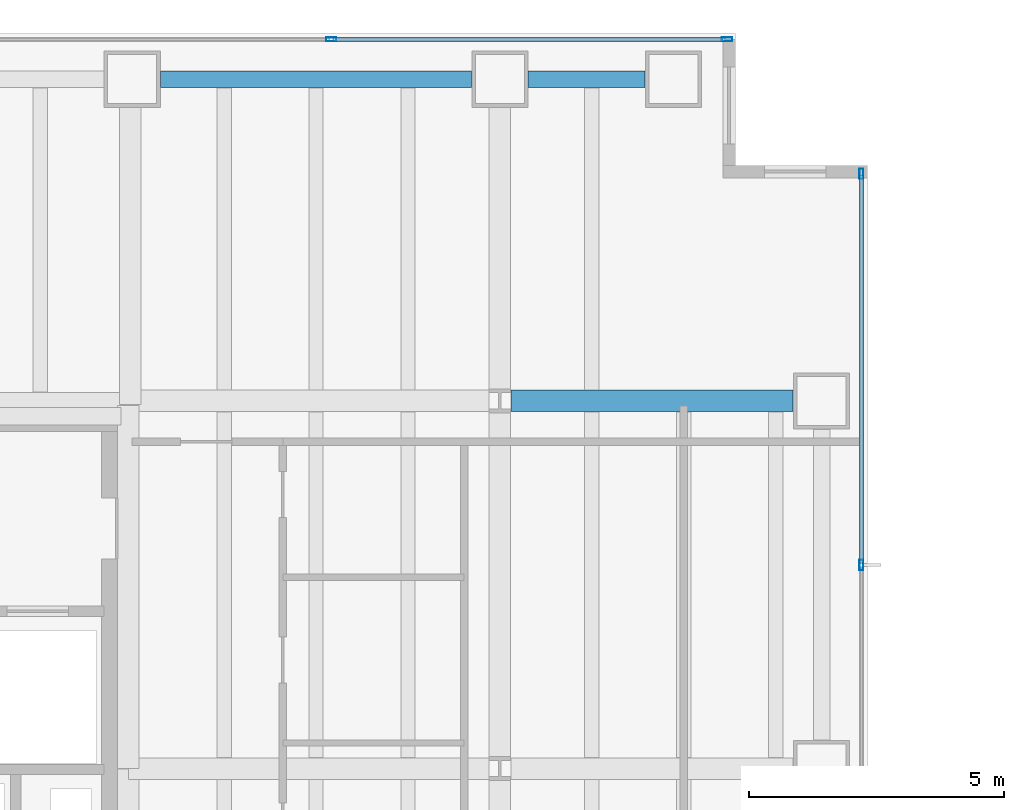
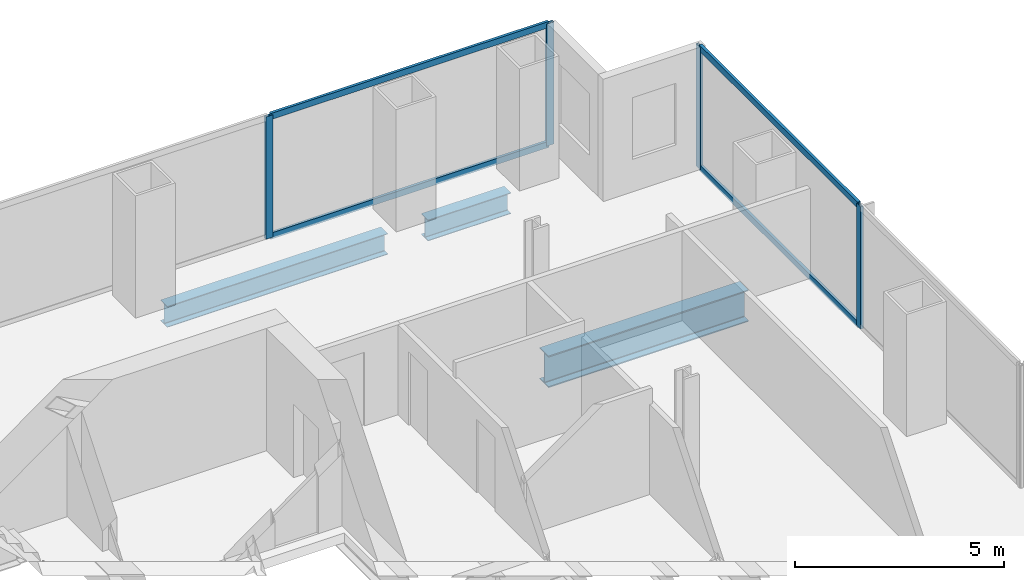
# One storey, part 18 of 25: 8 members, 3 beams, 2 elements without a shape of their own.
"""IFC4 building model written with IfcOpenShell, lengths in metres."""

from ifc_helpers import new_model, si_unit, direction, frame, origin, origin_2d, place, context, subcontext, project, spatial, hollow_rectangle, i_section, extrude, material, material_profile, profile_set, type_object, element, aggregate, save


model = new_model("IFC4")

# Units and contexts
model_context = context("Model", 3, precision=1e-05, world=origin(), true_north=direction((0.0, 1.0)))
body_context = subcontext(model_context, "Body", "Model", "MODEL_VIEW")
ifc_project = project(units=[si_unit("LENGTHUNIT", "METRE"), si_unit("AREAUNIT", "SQUARE_METRE"), si_unit("VOLUMEUNIT", "CUBIC_METRE"), si_unit("PLANEANGLEUNIT", "RADIAN"), si_unit("MASSUNIT", "GRAM", prefix="KILO")], contexts=[model_context])

# Site, building, storey
site_placement = place(None, origin())
site = spatial("IfcSite", under=ifc_project, at=site_placement, CompositionType="ELEMENT")
building_placement = place(site_placement, origin())
building = spatial("IfcBuilding", under=site, at=building_placement, Name="Cobrela Telecom Tower", CompositionType="ELEMENT")
storey_placement = place(building_placement, frame((0.0, 0.0, 35.0)))
storey = spatial("IfcBuildingStorey", under=building, at=storey_placement, Name="L08", CompositionType="ELEMENT", Elevation=35.0)

# Beams
ifc_material_1 = material(Name="Steel ASTM A992 Grade 50", Category="steel")
ifc_material_profile_1 = material_profile(ifc_material_1, i_section(OverallWidth=0.4189453125, OverallDepth=0.927001953125, WebThickness=0.019287109375, FlangeThickness=0.031982421875, FilletRadius=0.02392578125, at=origin_2d()), Name="W36X231")
ifc_profile_set_1 = profile_set([ifc_material_profile_1], Name="Steel ASTM A992 Grade 50")
beam_type_1 = type_object("IfcBeamType", Name="BM-GIRD-02", PredefinedType="USERDEFINED", material=ifc_profile_set_1)
beam_1_placement = place(storey_placement, frame((21.81591796875, 36.0, -0.743408203125), z_axis=(1.0, 0.0, 0.0), x_axis=(0.0, 1.0, 0.0)))
element("IfcBeam", 1, at=beam_1_placement, inside=storey, type_object=beam_type_1, Name="L08 Primary Girder X28", ObjectType="GIRDER", PredefinedType="USERDEFINED", context=body_context, shape_type="SweptSolid", body=[
    extrude(i_section(OverallWidth=0.4189453125, OverallDepth=0.927001953125, WebThickness=0.019287109375, FlangeThickness=0.031982421875, FilletRadius=0.02392578125, at=origin_2d()), origin(), (0.0, 0.0, 1.0), 5.529052734375),
])
ifc_material_profile_2 = material_profile(ifc_material_1, i_section(OverallWidth=0.324951171875, OverallDepth=0.612060546875, WebThickness=0.0126953125, FlangeThickness=0.01904296875, FilletRadius=0.014892578125, at=origin_2d()), Name="W24X104")
ifc_profile_set_2 = profile_set([ifc_material_profile_2], Name="Steel ASTM A992 Grade 50")
beam_type_2 = type_object("IfcBeamType", Name="BM-SPAND-02", PredefinedType="SPANDREL", material=ifc_profile_set_2)
beam_2_placement = place(storey_placement, frame((14.955078125, 42.300048828125, -0.5859375), z_axis=(1.0, 0.0, 0.0), x_axis=(0.0, 1.0, 0.0)))
element("IfcBeam", 2, at=beam_2_placement, inside=storey, type_object=beam_type_2, Name="L08 Perimeter Spandrel X30", PredefinedType="SPANDREL", context=body_context, shape_type="SweptSolid", body=[
    extrude(i_section(OverallWidth=0.324951171875, OverallDepth=0.612060546875, WebThickness=0.0126953125, FlangeThickness=0.01904296875, FilletRadius=0.014892578125, at=origin_2d()), origin(), (0.0, 0.0, 1.0), 6.08984375),
])
beam_3_placement = place(storey_placement, frame((22.155029296875, 42.300048828125, -0.5859375), z_axis=(1.0, 0.0, 0.0), x_axis=(0.0, 1.0, 0.0)))
element("IfcBeam", 3, at=beam_3_placement, inside=storey, type_object=beam_type_2, Name="L08 Perimeter Spandrel X31", PredefinedType="SPANDREL", context=body_context, shape_type="SweptSolid", body=[
    extrude(i_section(OverallWidth=0.324951171875, OverallDepth=0.612060546875, WebThickness=0.0126953125, FlangeThickness=0.01904296875, FilletRadius=0.014892578125, at=origin_2d()), origin(), (0.0, 0.0, 1.0), 2.2900390625),
])

# Curtain wall, members
ifc_material_2 = material(Name="Anodized Bronze Aluminium 6063-T6", Category="aluminium")
curtain_wall_type = type_object("IfcCurtainWallType", Name="CW-SYS-DATA", PredefinedType="USERDEFINED", material=ifc_material_2)
curtain_wall_1_placement = place(storey_placement, origin())
curtain_wall_1 = element("IfcCurtainWall", 4, at=curtain_wall_1_placement, inside=storey, type_object=curtain_wall_type, Name="L08 Unitised Bronze Curtain Wall 07", ObjectType="UNITISED CURTAIN WALL", PredefinedType="USERDEFINED")
ifc_material_profile_3 = material_profile(ifc_material_2, hollow_rectangle(XDim=0.080078125, YDim=0.199951171875, WallThickness=0.00390625, at=origin_2d()), Name="ALU 80x200x4")
ifc_profile_set_3 = profile_set([ifc_material_profile_3], Name="Anodized Bronze Aluminium 6063-T6")
member_type_1 = type_object("IfcMemberType", Name="CW-SYS-DATA-MUL", PredefinedType="MULLION", material=ifc_profile_set_3)
member_1_placement = place(storey_placement, frame((18.296630859375, 43.080078125, 0.0), z_axis=(0.0, 0.0, 1.0), x_axis=(0.0, 1.0, 0.0)))
member_1 = element("IfcMember", 5, at=member_1_placement, type_object=member_type_1, Name="CW-DATA mullion 3", PredefinedType="MULLION", context=body_context, shape_type="SweptSolid", body=[
    extrude(hollow_rectangle(XDim=0.080078125, YDim=0.199951171875, WallThickness=0.00390625, at=origin_2d()), origin(), (0.0, 0.0, 1.0), 3.570068359375),
])
member_2_placement = place(storey_placement, frame((26.050048828125, 43.080078125, 0.0), z_axis=(0.0, 0.0, 1.0), x_axis=(0.0, 1.0, 0.0)))
member_2 = element("IfcMember", 6, at=member_2_placement, type_object=member_type_1, Name="CW-DATA mullion 4", PredefinedType="MULLION", context=body_context, shape_type="SweptSolid", body=[
    extrude(hollow_rectangle(XDim=0.080078125, YDim=0.199951171875, WallThickness=0.00390625, at=origin_2d()), origin(), (0.0, 0.0, 1.0), 3.570068359375),
])

curtain_wall_2_placement = place(storey_placement, origin())
curtain_wall_2 = element("IfcCurtainWall", 7, at=curtain_wall_2_placement, inside=storey, type_object=curtain_wall_type, Name="L08 Unitised Bronze Curtain Wall 10", ObjectType="UNITISED CURTAIN WALL", PredefinedType="USERDEFINED")
member_3_placement = place(storey_placement, frame((28.679931640625, 40.449951171875, 0.0), z_axis=(0.0, 0.0, 1.0), x_axis=(1.0, 0.0, 0.0)))
member_3 = element("IfcMember", 8, at=member_3_placement, type_object=member_type_1, Name="CW-DATA mullion 1", PredefinedType="MULLION", context=body_context, shape_type="SweptSolid", body=[
    extrude(hollow_rectangle(XDim=0.080078125, YDim=0.199951171875, WallThickness=0.00390625, at=origin_2d()), origin(), (0.0, 0.0, 1.0), 3.570068359375),
])
member_4_placement = place(storey_placement, frame((28.679931640625, 32.784912109375, 0.0), z_axis=(0.0, 0.0, 1.0), x_axis=(1.0, 0.0, 0.0)))
member_4 = element("IfcMember", 9, at=member_4_placement, type_object=member_type_1, Name="CW-DATA mullion 2", PredefinedType="MULLION", context=body_context, shape_type="SweptSolid", body=[
    extrude(hollow_rectangle(XDim=0.080078125, YDim=0.199951171875, WallThickness=0.00390625, at=origin_2d()), origin(), (0.0, 0.0, 1.0), 3.570068359375),
])

# Member
ifc_material_profile_4 = material_profile(ifc_material_2, hollow_rectangle(XDim=0.074951171875, YDim=0.179931640625, WallThickness=0.00390625, at=origin_2d()), Name="ALU 75x180x4")
ifc_profile_set_4 = profile_set([ifc_material_profile_4], Name="Anodized Bronze Aluminium 6063-T6")
member_type_2 = type_object("IfcMemberType", Name="CW-SYS-DATA-TRN", PredefinedType="USERDEFINED", material=ifc_profile_set_4)
member_5_placement = place(storey_placement, frame((18.336669921875, 43.080078125, 0.03759765625), z_axis=(1.0, 0.0, 0.0), x_axis=(0.0, 1.0, 0.0)))
member_5 = element("IfcMember", 10, at=member_5_placement, type_object=member_type_2, Name="CW-DATA transom 3.1", ObjectType="TRANSOM", PredefinedType="USERDEFINED", context=body_context, shape_type="SweptSolid", body=[
    extrude(hollow_rectangle(XDim=0.074951171875, YDim=0.179931640625, WallThickness=0.00390625, at=origin_2d()), origin(), (0.0, 0.0, 1.0), 7.67333984375),
])

member_6_placement = place(storey_placement, frame((18.336669921875, 43.080078125, 3.532470703125), z_axis=(1.0, 0.0, 0.0), x_axis=(0.0, 1.0, 0.0)))
member_6 = element("IfcMember", 11, at=member_6_placement, type_object=member_type_2, Name="CW-DATA transom 3.2", ObjectType="TRANSOM", PredefinedType="USERDEFINED", context=body_context, shape_type="SweptSolid", body=[
    extrude(hollow_rectangle(XDim=0.074951171875, YDim=0.179931640625, WallThickness=0.00390625, at=origin_2d()), origin(), (0.0, 0.0, 1.0), 7.67333984375),
])

aggregate(curtain_wall_1, [member_1, member_2, member_5, member_6])

member_7_placement = place(storey_placement, frame((28.679931640625, 40.409912109375, 0.03759765625), z_axis=(0.0, -1.0, 0.0), x_axis=(1.0, 0.0, 0.0)))
member_7 = element("IfcMember", 12, at=member_7_placement, type_object=member_type_2, Name="CW-DATA transom 1.1", ObjectType="TRANSOM", PredefinedType="USERDEFINED", context=body_context, shape_type="SweptSolid", body=[
    extrude(hollow_rectangle(XDim=0.074951171875, YDim=0.179931640625, WallThickness=0.00390625, at=origin_2d()), origin(), (0.0, 0.0, 1.0), 7.5849609375),
])

member_8_placement = place(storey_placement, frame((28.679931640625, 40.409912109375, 3.532470703125), z_axis=(0.0, -1.0, 0.0), x_axis=(1.0, 0.0, 0.0)))
member_8 = element("IfcMember", 13, at=member_8_placement, type_object=member_type_2, Name="CW-DATA transom 1.2", ObjectType="TRANSOM", PredefinedType="USERDEFINED", context=body_context, shape_type="SweptSolid", body=[
    extrude(hollow_rectangle(XDim=0.074951171875, YDim=0.179931640625, WallThickness=0.00390625, at=origin_2d()), origin(), (0.0, 0.0, 1.0), 7.5849609375),
])

aggregate(curtain_wall_2, [member_3, member_4, member_7, member_8])

save(model, "model.ifc")
